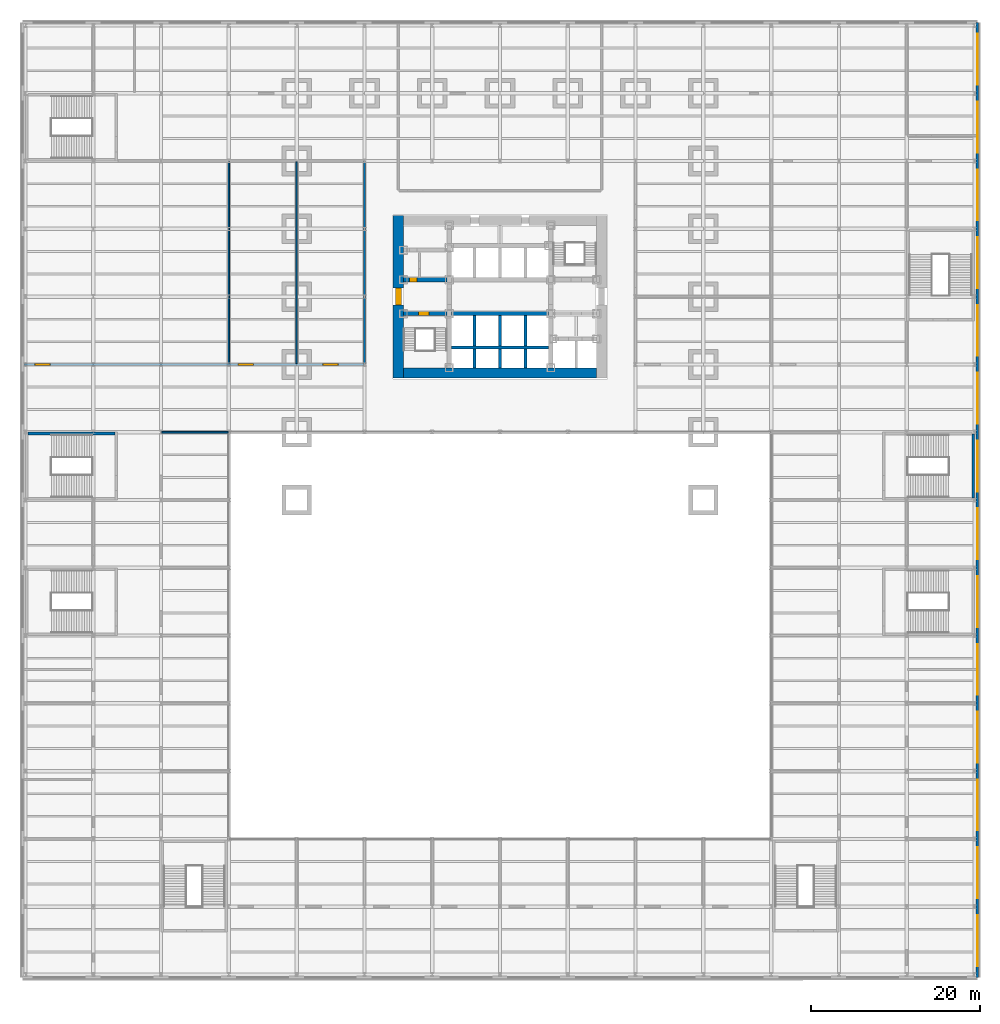
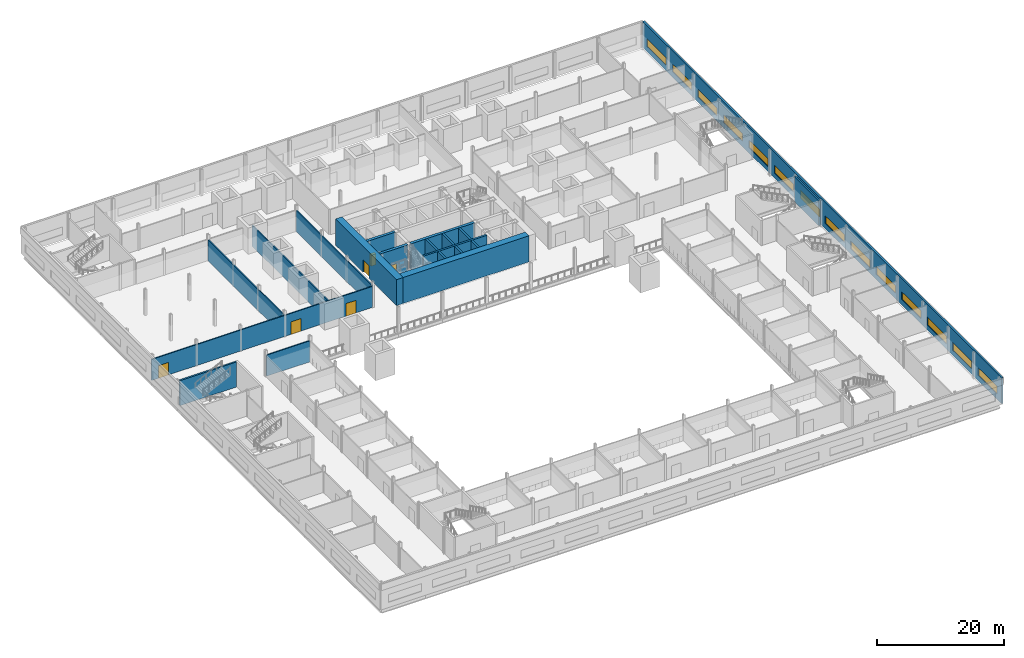
# One storey, part 13 of 22: 20 walls, 14 windows, 6 doors, 20 openings.
"""IFC4 building model written with IfcOpenShell, lengths in metres."""

from ifc_helpers import new_model, si_unit, direction, frame, frame_2d, origin, place, context, subcontext, project, spatial, rectangle, extrude, material, layer, layer_set, type_object, element, fill, save


model = new_model("IFC4")

# Units and contexts
model_context = context("Model", 3, precision=1e-05, world=origin(), true_north=direction((0.0, 1.0)))
body_context = subcontext(model_context, "Body", "Model", "MODEL_VIEW")
ifc_project = project(units=[si_unit("LENGTHUNIT", "METRE"), si_unit("AREAUNIT", "SQUARE_METRE"), si_unit("VOLUMEUNIT", "CUBIC_METRE"), si_unit("PLANEANGLEUNIT", "RADIAN"), si_unit("MASSUNIT", "GRAM", prefix="KILO")], contexts=[model_context])

# Site, building, storey
site_placement = place(None, origin())
site = spatial("IfcSite", under=ifc_project, at=site_placement, CompositionType="ELEMENT")
building_placement = place(site_placement, origin())
building = spatial("IfcBuilding", under=site, at=building_placement, Name="Daluyong Arena Tower", CompositionType="ELEMENT")
storey_placement = place(building_placement, frame((0.0, 0.0, 9.89990234375)))
storey = spatial("IfcBuildingStorey", under=building, at=storey_placement, Name="L02", CompositionType="ELEMENT", Elevation=9.89990234375)

# Wall, opening, door
ifc_material_1 = material(Name="Concrete fc' 45 MPa", Category="concrete")
ifc_layer_1 = layer(ifc_material_1, 0.5)
ifc_layer_set_1 = layer_set([ifc_layer_1], Name="Concrete fc' 45 MPa")
wall_type_1 = type_object("IfcWallType", Name="Core inner wall 500", PredefinedType="SHEAR", material=ifc_layer_set_1)
wall_1_placement = place(storey_placement, frame((44.60009765625, 78.0, 0.0), z_axis=(0.0, 0.0, 1.0), x_axis=(1.0, 0.0, 0.0)))
wall_1 = element("IfcWall", 1, at=wall_1_placement, inside=storey, type_object=wall_type_1, Name="core inner wall at L02", PredefinedType="SHEAR", context=body_context, shape_type="SweptSolid", body=[
    extrude(rectangle(XDim=5.14990234375, YDim=0.5, at=frame_2d((2.574951171875, 0.0))), origin(), (0.0, 0.0, 1.0), 5.0),
])
opening_1_placement = place(wall_1_placement, frame((1.800048828125, 0.0, 0.0)))
opening_1 = element("IfcOpeningElement", 2, at=opening_1_placement, cuts=wall_1, Name="Opening 02006", PredefinedType="OPENING", context=body_context, shape_type="SweptSolid", body=[
    extrude(rectangle(XDim=1.199951171875, YDim=2.10009765625, at=frame_2d((0.60009765625, 1.050048828125))), frame((0.0, 0.260009765625, 0.0), z_axis=(0.0, -1.0, 0.0), x_axis=(1.0, 0.0, 0.0)), (0.0, 0.0, 1.0), 0.52001953125),
])
ifc_material_2 = material(Name="Steel door, fire rated", Category="steel")
door_type_1 = type_object("IfcDoorType", Name="Stair door 1200", OperationType="SINGLE_SWING_LEFT", PredefinedType="DOOR", material=ifc_material_2)
door_1_placement = place(opening_1_placement, origin())
door_1 = element("IfcDoor", 3, at=door_1_placement, inside=storey, type_object=door_type_1, Name="stair A door 02006", OperationType="SINGLE_SWING_LEFT", OverallHeight=2.10009765625, OverallWidth=1.199951171875, PredefinedType="DOOR", context=body_context, shape_type="SweptSolid", body=[
    extrude(rectangle(XDim=1.199951171875, YDim=2.10009765625, at=frame_2d((0.60009765625, 1.050048828125))), frame((0.0, 0.249755859375, 0.0), z_axis=(0.0, -1.0, 0.0), x_axis=(1.0, 0.0, 0.0)), (0.0, 0.0, 1.0), 0.49951171875),
])
fill(opening_1, door_1)

wall_2_placement = place(storey_placement, frame((44.60009765625, 82.0, 0.0), z_axis=(0.0, 0.0, 1.0), x_axis=(1.0, 0.0, 0.0)))
wall_2 = element("IfcWall", 4, at=wall_2_placement, inside=storey, type_object=wall_type_1, Name="core inner wall at L02", PredefinedType="SHEAR", context=body_context, shape_type="SweptSolid", body=[
    extrude(rectangle(XDim=5.14990234375, YDim=0.5, at=frame_2d((2.574951171875, 0.0))), origin(), (0.0, 0.0, 1.0), 5.0),
])
opening_2_placement = place(wall_2_placement, frame((0.699951171875, 0.0, 0.0)))
opening_2 = element("IfcOpeningElement", 5, at=opening_2_placement, cuts=wall_2, Name="Opening 02001", PredefinedType="OPENING", context=body_context, shape_type="SweptSolid", body=[
    extrude(rectangle(XDim=0.89990234375, YDim=2.10009765625, at=frame_2d((0.449951171875, 1.050048828125))), frame((0.0, 0.260009765625, 0.0), z_axis=(0.0, -1.0, 0.0), x_axis=(1.0, 0.0, 0.0)), (0.0, 0.0, 1.0), 0.52001953125),
])
ifc_material_3 = material(Name="Steel door, fire rated", Category="steel")
door_type_2 = type_object("IfcDoorType", Name="Core room door 900", OperationType="SINGLE_SWING_LEFT", PredefinedType="DOOR", material=ifc_material_3)
door_2_placement = place(opening_2_placement, origin())
door_2 = element("IfcDoor", 6, at=door_2_placement, inside=storey, type_object=door_type_2, Name="toilet lobby door 02001", OperationType="SINGLE_SWING_LEFT", OverallHeight=2.10009765625, OverallWidth=0.89990234375, PredefinedType="DOOR", context=body_context, shape_type="SweptSolid", body=[
    extrude(rectangle(XDim=0.89990234375, YDim=2.10009765625, at=frame_2d((0.449951171875, 1.050048828125))), frame((0.0, 0.249755859375, 0.0), z_axis=(0.0, -1.0, 0.0), x_axis=(1.0, 0.0, 0.0)), (0.0, 0.0, 1.0), 0.49951171875),
])
fill(opening_2, door_2)

# Wall
wall_3_placement = place(storey_placement, frame((50.25, 78.0, 0.0), z_axis=(0.0, 0.0, 1.0), x_axis=(1.0, 0.0, 0.0)))
element("IfcWall", 7, at=wall_3_placement, inside=storey, type_object=wall_type_1, Name="core inner wall at L02", PredefinedType="SHEAR", context=body_context, shape_type="SweptSolid", body=[
    extrude(rectangle(XDim=11.5, YDim=0.5, at=frame_2d((5.75, 0.0))), origin(), (0.0, 0.0, 1.0), 5.0),
])

# Wall, opening, door
ifc_material_4 = material(Name="Concrete fc' 60 MPa", Category="concrete")
ifc_layer_2 = layer(ifc_material_4, 1.199951171875)
ifc_layer_set_2 = layer_set([ifc_layer_2], Name="Concrete fc' 60 MPa")
wall_type_2 = type_object("IfcWallType", Name="Core wall 1200", PredefinedType="SHEAR", material=ifc_layer_set_2)
wall_4_placement = place(storey_placement, frame((44.0, 70.39990234375, 0.0), z_axis=(0.0, 0.0, 1.0), x_axis=(0.0, 1.0, 0.0)))
wall_4 = element("IfcWall", 8, at=wall_4_placement, inside=storey, type_object=wall_type_2, Name="core wall at L02", PredefinedType="SHEAR", context=body_context, shape_type="SweptSolid", body=[
    extrude(rectangle(XDim=19.2001953125, YDim=1.199951171875, at=frame_2d((9.60009765625, 0.0))), origin(), (0.0, 0.0, 1.0), 5.0),
])
opening_3_placement = place(wall_4_placement, frame((8.60009765625, 0.0, 0.0)))
opening_3 = element("IfcOpeningElement", 9, at=opening_3_placement, cuts=wall_4, Name="Opening 02008", PredefinedType="OPENING", context=body_context, shape_type="SweptSolid", body=[
    extrude(rectangle(XDim=2.0, YDim=2.39990234375, at=frame_2d((1.0, 1.199951171875))), frame((0.0, 0.60986328125, 0.0), z_axis=(0.0, -1.0, 0.0), x_axis=(1.0, 0.0, 0.0)), (0.0, 0.0, 1.0), 1.219970703125),
])
ifc_material_5 = material(Name="Steel door, fire rated", Category="steel")
door_type_3 = type_object("IfcDoorType", Name="Core lobby double door 2000", OperationType="DOUBLE_DOOR_SINGLE_SWING", PredefinedType="DOOR", material=ifc_material_5)
door_3_placement = place(opening_3_placement, origin())
door_3 = element("IfcDoor", 10, at=door_3_placement, inside=storey, type_object=door_type_3, Name="core lobby door west 02008", OperationType="DOUBLE_DOOR_SINGLE_SWING", OverallHeight=2.39990234375, OverallWidth=2.0, PredefinedType="DOOR", context=body_context, shape_type="SweptSolid", body=[
    extrude(rectangle(XDim=2.0, YDim=2.39990234375, at=frame_2d((1.0, 1.199951171875))), frame((0.0, 0.35009765625, 0.0), z_axis=(0.0, -1.0, 0.0), x_axis=(1.0, 0.0, 0.0)), (0.0, 0.0, 1.0), 0.699951171875),
])
fill(opening_3, door_3)

# Walls
wall_5_placement = place(storey_placement, frame((44.60009765625, 71.0, 0.0), z_axis=(0.0, 0.0, 1.0), x_axis=(1.0, 0.0, 0.0)))
element("IfcWall", 11, at=wall_5_placement, inside=storey, type_object=wall_type_2, Name="core wall at L02", PredefinedType="SHEAR", context=body_context, shape_type="SweptSolid", body=[
    extrude(rectangle(XDim=22.7998046875, YDim=1.199951171875, at=frame_2d((11.39990234375, 0.0))), origin(), (0.0, 0.0, 1.0), 5.0),
])
ifc_material_6 = material(Name="Concrete fc' 45 MPa", Category="concrete")
ifc_layer_3 = layer(ifc_material_6, 0.35009765625)
ifc_layer_set_3 = layer_set([ifc_layer_3], Name="Concrete fc' 45 MPa")
wall_type_3 = type_object("IfcWallType", Name="Lift shaft wall 350", PredefinedType="SHEAR", material=ifc_layer_set_3)
wall_6_placement = place(storey_placement, frame((50.25, 74.0, 0.0), z_axis=(0.0, 0.0, 1.0), x_axis=(1.0, 0.0, 0.0)))
element("IfcWall", 12, at=wall_6_placement, inside=storey, type_object=wall_type_3, Name="lift shaft wall at L02", PredefinedType="SHEAR", context=body_context, shape_type="SweptSolid", body=[
    extrude(rectangle(XDim=11.5, YDim=0.35009765625, at=frame_2d((5.75, 0.0))), origin(), (0.0, 0.0, 1.0), 5.0),
])
wall_7_placement = place(storey_placement, frame((53.0, 71.60009765625, 0.0), z_axis=(0.0, 0.0, 1.0), x_axis=(0.0, 1.0, 0.0)))
element("IfcWall", 13, at=wall_7_placement, inside=storey, type_object=wall_type_3, Name="lift shaft wall at L02", PredefinedType="SHEAR", context=body_context, shape_type="SweptSolid", body=[
    extrude(rectangle(XDim=2.224853515625, YDim=0.35009765625, at=frame_2d((1.1123046875, 0.0))), origin(), (0.0, 0.0, 1.0), 5.0),
])
wall_8_placement = place(storey_placement, frame((53.0, 74.175048828125, 0.0), z_axis=(0.0, 0.0, 1.0), x_axis=(0.0, 1.0, 0.0)))
element("IfcWall", 14, at=wall_8_placement, inside=storey, type_object=wall_type_3, Name="lift shaft wall at L02", PredefinedType="SHEAR", context=body_context, shape_type="SweptSolid", body=[
    extrude(rectangle(XDim=3.574951171875, YDim=0.35009765625, at=frame_2d((1.78759765625, 0.0))), origin(), (0.0, 0.0, 1.0), 5.0),
])
wall_9_placement = place(storey_placement, frame((56.0, 71.60009765625, 0.0), z_axis=(0.0, 0.0, 1.0), x_axis=(0.0, 1.0, 0.0)))
element("IfcWall", 15, at=wall_9_placement, inside=storey, type_object=wall_type_3, Name="lift shaft wall at L02", PredefinedType="SHEAR", context=body_context, shape_type="SweptSolid", body=[
    extrude(rectangle(XDim=2.224853515625, YDim=0.35009765625, at=frame_2d((1.1123046875, 0.0))), origin(), (0.0, 0.0, 1.0), 5.0),
])
wall_10_placement = place(storey_placement, frame((56.0, 74.175048828125, 0.0), z_axis=(0.0, 0.0, 1.0), x_axis=(0.0, 1.0, 0.0)))
element("IfcWall", 16, at=wall_10_placement, inside=storey, type_object=wall_type_3, Name="lift shaft wall at L02", PredefinedType="SHEAR", context=body_context, shape_type="SweptSolid", body=[
    extrude(rectangle(XDim=3.574951171875, YDim=0.35009765625, at=frame_2d((1.78759765625, 0.0))), origin(), (0.0, 0.0, 1.0), 5.0),
])
wall_11_placement = place(storey_placement, frame((59.0, 71.60009765625, 0.0), z_axis=(0.0, 0.0, 1.0), x_axis=(0.0, 1.0, 0.0)))
element("IfcWall", 17, at=wall_11_placement, inside=storey, type_object=wall_type_3, Name="lift shaft wall at L02", PredefinedType="SHEAR", context=body_context, shape_type="SweptSolid", body=[
    extrude(rectangle(XDim=2.224853515625, YDim=0.35009765625, at=frame_2d((1.1123046875, 0.0))), origin(), (0.0, 0.0, 1.0), 5.0),
])
wall_12_placement = place(storey_placement, frame((59.0, 74.175048828125, 0.0), z_axis=(0.0, 0.0, 1.0), x_axis=(0.0, 1.0, 0.0)))
element("IfcWall", 18, at=wall_12_placement, inside=storey, type_object=wall_type_3, Name="lift shaft wall at L02", PredefinedType="SHEAR", context=body_context, shape_type="SweptSolid", body=[
    extrude(rectangle(XDim=3.574951171875, YDim=0.35009765625, at=frame_2d((1.78759765625, 0.0))), origin(), (0.0, 0.0, 1.0), 5.0),
])
ifc_material_7 = material(Name="Concrete block partition", Category="concrete")
ifc_layer_4 = layer(ifc_material_7, 0.199951171875)
ifc_layer_set_4 = layer_set([ifc_layer_4], Name="Concrete block partition")
wall_type_4 = type_object("IfcWallType", Name="Partition 200", PredefinedType="PARTITIONING", material=ifc_layer_set_4)
wall_13_placement = place(storey_placement, frame((16.10009765625, 64.0, 0.0), z_axis=(0.0, 0.0, 1.0), x_axis=(1.0, 0.0, 0.0)))
element("IfcWall", 19, at=wall_13_placement, inside=storey, type_object=wall_type_4, Name="partition at L02", PredefinedType="PARTITIONING", context=body_context, shape_type="SweptSolid", body=[
    extrude(rectangle(XDim=7.7998046875, YDim=0.199951171875, at=frame_2d((3.89990234375, 0.0))), origin(), (0.0, 0.0, 1.0), 4.02783203125),
])

# Wall, openings, doors
wall_14_placement = place(storey_placement, frame((-0.14990234375, 72.0, 0.0), z_axis=(0.0, 0.0, 1.0), x_axis=(1.0, 0.0, 0.0)))
wall_14 = element("IfcWall", 20, at=wall_14_placement, inside=storey, type_object=wall_type_4, Name="partition at L02", PredefinedType="PARTITIONING", context=body_context, shape_type="SweptSolid", body=[
    extrude(rectangle(XDim=40.0498046875, YDim=0.199951171875, at=frame_2d((20.02490234375, 0.0))), origin(), (0.0, 0.0, 1.0), 4.02783203125),
])
opening_4_placement = place(wall_14_placement, frame((1.25, 0.0, 0.0)))
opening_4 = element("IfcOpeningElement", 21, at=opening_4_placement, cuts=wall_14, Name="Opening 02053", PredefinedType="OPENING", context=body_context, shape_type="SweptSolid", body=[
    extrude(rectangle(XDim=1.800048828125, YDim=2.39990234375, at=frame_2d((0.89990234375, 1.199951171875))), frame((0.0, 0.10986328125, 0.0), z_axis=(0.0, -1.0, 0.0), x_axis=(1.0, 0.0, 0.0)), (0.0, 0.0, 1.0), 0.219970703125),
])
opening_5_placement = place(wall_14_placement, frame((25.25, 0.0, 0.0)))
opening_5 = element("IfcOpeningElement", 22, at=opening_5_placement, cuts=wall_14, Name="Opening 02054", PredefinedType="OPENING", context=body_context, shape_type="SweptSolid", body=[
    extrude(rectangle(XDim=1.800048828125, YDim=2.39990234375, at=frame_2d((0.89990234375, 1.199951171875))), frame((0.0, 0.10986328125, 0.0), z_axis=(0.0, -1.0, 0.0), x_axis=(1.0, 0.0, 0.0)), (0.0, 0.0, 1.0), 0.219970703125),
])
opening_6_placement = place(wall_14_placement, frame((35.25, 0.0, 0.0)))
opening_6 = element("IfcOpeningElement", 23, at=opening_6_placement, cuts=wall_14, Name="Opening 02055", PredefinedType="OPENING", context=body_context, shape_type="SweptSolid", body=[
    extrude(rectangle(XDim=1.800048828125, YDim=2.39990234375, at=frame_2d((0.89990234375, 1.199951171875))), frame((0.0, 0.10986328125, 0.0), z_axis=(0.0, -1.0, 0.0), x_axis=(1.0, 0.0, 0.0)), (0.0, 0.0, 1.0), 0.219970703125),
])
ifc_material_8 = material(Name="Timber door", Category="wood")
door_type_4 = type_object("IfcDoorType", Name="Assembly double door 1800", OperationType="DOUBLE_DOOR_DOUBLE_SWING", PredefinedType="DOOR", material=ifc_material_8)
door_4_placement = place(opening_4_placement, origin())
door_4 = element("IfcDoor", 24, at=door_4_placement, inside=storey, type_object=door_type_4, Name="club lounge door 02053", OperationType="DOUBLE_DOOR_DOUBLE_SWING", OverallHeight=2.39990234375, OverallWidth=1.800048828125, PredefinedType="DOOR", context=body_context, shape_type="SweptSolid", body=[
    extrude(rectangle(XDim=1.800048828125, YDim=2.39990234375, at=frame_2d((0.89990234375, 1.199951171875))), frame((0.0, 0.099609375, 0.0), z_axis=(0.0, -1.0, 0.0), x_axis=(1.0, 0.0, 0.0)), (0.0, 0.0, 1.0), 0.199462890625),
])
fill(opening_4, door_4)
door_5_placement = place(opening_5_placement, origin())
door_5 = element("IfcDoor", 25, at=door_5_placement, inside=storey, type_object=door_type_4, Name="sports bar door 02054", OperationType="DOUBLE_DOOR_DOUBLE_SWING", OverallHeight=2.39990234375, OverallWidth=1.800048828125, PredefinedType="DOOR", context=body_context, shape_type="SweptSolid", body=[
    extrude(rectangle(XDim=1.800048828125, YDim=2.39990234375, at=frame_2d((0.89990234375, 1.199951171875))), frame((0.0, 0.099609375, 0.0), z_axis=(0.0, -1.0, 0.0), x_axis=(1.0, 0.0, 0.0)), (0.0, 0.0, 1.0), 0.199462890625),
])
fill(opening_5, door_5)
door_6_placement = place(opening_6_placement, origin())
door_6 = element("IfcDoor", 26, at=door_6_placement, inside=storey, type_object=door_type_4, Name="sports bar door 02055", OperationType="DOUBLE_DOOR_DOUBLE_SWING", OverallHeight=2.39990234375, OverallWidth=1.800048828125, PredefinedType="DOOR", context=body_context, shape_type="SweptSolid", body=[
    extrude(rectangle(XDim=1.800048828125, YDim=2.39990234375, at=frame_2d((0.89990234375, 1.199951171875))), frame((0.0, 0.099609375, 0.0), z_axis=(0.0, -1.0, 0.0), x_axis=(1.0, 0.0, 0.0)), (0.0, 0.0, 1.0), 0.199462890625),
])
fill(opening_6, door_6)

# Walls
for number, where, z_axis, x_axis, name in (
    (27, (24.0, 72.10009765625, 0.0), (0.0, 0.0, 1.0), (0.0, 1.0, 0.0), "partition at L02"),
    (28, (32.0, 72.10009765625, 0.0), (0.0, 0.0, 1.0), (0.0, 1.0, 0.0), "partition at L02"),
    (29, (40.0, 72.10009765625, 0.0), (0.0, 0.0, 1.0), (0.0, 1.0, 0.0), "partition at L02"),
):
    element("IfcWall", number, at=place(storey_placement, frame(where, z_axis=z_axis, x_axis=x_axis)), inside=storey, type_object=wall_type_4, Name=name, PredefinedType="PARTITIONING", context=body_context, shape_type="SweptSolid", body=[
        extrude(rectangle(XDim=23.7998046875, YDim=0.199951171875, at=frame_2d((11.89990234375, 0.0))), origin(), (0.0, 0.0, 1.0), 4.02783203125),
    ])

# Wall, openings, windows
ifc_material_9 = material(Name="Precast concrete fc' 45 MPa", Category="concrete")
ifc_layer_5 = layer(ifc_material_9, 0.300048828125)
ifc_layer_set_5 = layer_set([ifc_layer_5], Name="Precast concrete fc' 45 MPa")
wall_type_5 = type_object("IfcWallType", Name="Podium precast band wall 300", PredefinedType="SOLIDWALL", material=ifc_layer_set_5)
wall_15_placement = place(storey_placement, frame((112.35009765625, -0.35009765625, 0.0), z_axis=(0.0, 0.0, 1.0), x_axis=(0.0, 1.0, 0.0)))
wall_15 = element("IfcWall", 30, at=wall_15_placement, inside=storey, type_object=wall_type_5, Name="podium wall E L02", PredefinedType="SOLIDWALL", context=body_context, shape_type="SweptSolid", body=[
    extrude(rectangle(XDim=112.7001953125, YDim=0.300048828125, at=frame_2d((56.35009765625, 0.0))), origin(), (0.0, 0.0, 1.0), 5.0),
])
opening_7_placement = place(wall_15_placement, frame((1.35009765625, 0.0, 1.0)))
opening_7 = element("IfcOpeningElement", 31, at=opening_7_placement, cuts=wall_15, Name="Opening W1", PredefinedType="OPENING", context=body_context, shape_type="SweptSolid", body=[
    extrude(rectangle(XDim=6.0, YDim=1.5, at=frame_2d((3.0, 0.75))), frame((0.0, 0.159912109375, 0.0), z_axis=(0.0, -1.0, 0.0), x_axis=(1.0, 0.0, 0.0)), (0.0, 0.0, 1.0), 0.320068359375),
])
opening_8_placement = place(wall_15_placement, frame((9.35009765625, 0.0, 1.0)))
opening_8 = element("IfcOpeningElement", 32, at=opening_8_placement, cuts=wall_15, Name="Opening W1", PredefinedType="OPENING", context=body_context, shape_type="SweptSolid", body=[
    extrude(rectangle(XDim=6.0, YDim=1.5, at=frame_2d((3.0, 0.75))), frame((0.0, 0.159912109375, 0.0), z_axis=(0.0, -1.0, 0.0), x_axis=(1.0, 0.0, 0.0)), (0.0, 0.0, 1.0), 0.320068359375),
])
opening_9_placement = place(wall_15_placement, frame((17.35009765625, 0.0, 1.0)))
opening_9 = element("IfcOpeningElement", 33, at=opening_9_placement, cuts=wall_15, Name="Opening W1", PredefinedType="OPENING", context=body_context, shape_type="SweptSolid", body=[
    extrude(rectangle(XDim=6.0, YDim=1.5, at=frame_2d((3.0, 0.75))), frame((0.0, 0.159912109375, 0.0), z_axis=(0.0, -1.0, 0.0), x_axis=(1.0, 0.0, 0.0)), (0.0, 0.0, 1.0), 0.320068359375),
])
opening_10_placement = place(wall_15_placement, frame((25.35009765625, 0.0, 1.0)))
opening_10 = element("IfcOpeningElement", 34, at=opening_10_placement, cuts=wall_15, Name="Opening W1", PredefinedType="OPENING", context=body_context, shape_type="SweptSolid", body=[
    extrude(rectangle(XDim=6.0, YDim=1.5, at=frame_2d((3.0, 0.75))), frame((0.0, 0.159912109375, 0.0), z_axis=(0.0, -1.0, 0.0), x_axis=(1.0, 0.0, 0.0)), (0.0, 0.0, 1.0), 0.320068359375),
])
opening_11_placement = place(wall_15_placement, frame((33.35009765625, 0.0, 1.0)))
opening_11 = element("IfcOpeningElement", 35, at=opening_11_placement, cuts=wall_15, Name="Opening W1", PredefinedType="OPENING", context=body_context, shape_type="SweptSolid", body=[
    extrude(rectangle(XDim=6.0, YDim=1.5, at=frame_2d((3.0, 0.75))), frame((0.0, 0.159912109375, 0.0), z_axis=(0.0, -1.0, 0.0), x_axis=(1.0, 0.0, 0.0)), (0.0, 0.0, 1.0), 0.320068359375),
])
opening_12_placement = place(wall_15_placement, frame((41.35009765625, 0.0, 1.0)))
opening_12 = element("IfcOpeningElement", 36, at=opening_12_placement, cuts=wall_15, Name="Opening W1", PredefinedType="OPENING", context=body_context, shape_type="SweptSolid", body=[
    extrude(rectangle(XDim=6.0, YDim=1.5, at=frame_2d((3.0, 0.75))), frame((0.0, 0.159912109375, 0.0), z_axis=(0.0, -1.0, 0.0), x_axis=(1.0, 0.0, 0.0)), (0.0, 0.0, 1.0), 0.320068359375),
])
opening_13_placement = place(wall_15_placement, frame((49.35009765625, 0.0, 1.0)))
opening_13 = element("IfcOpeningElement", 37, at=opening_13_placement, cuts=wall_15, Name="Opening W1", PredefinedType="OPENING", context=body_context, shape_type="SweptSolid", body=[
    extrude(rectangle(XDim=6.0, YDim=1.5, at=frame_2d((3.0, 0.75))), frame((0.0, 0.159912109375, 0.0), z_axis=(0.0, -1.0, 0.0), x_axis=(1.0, 0.0, 0.0)), (0.0, 0.0, 1.0), 0.320068359375),
])
opening_14_placement = place(wall_15_placement, frame((57.35009765625, 0.0, 1.0)))
opening_14 = element("IfcOpeningElement", 38, at=opening_14_placement, cuts=wall_15, Name="Opening W1", PredefinedType="OPENING", context=body_context, shape_type="SweptSolid", body=[
    extrude(rectangle(XDim=6.0, YDim=1.5, at=frame_2d((3.0, 0.75))), frame((0.0, 0.159912109375, 0.0), z_axis=(0.0, -1.0, 0.0), x_axis=(1.0, 0.0, 0.0)), (0.0, 0.0, 1.0), 0.320068359375),
])
opening_15_placement = place(wall_15_placement, frame((65.35009765625, 0.0, 1.0)))
opening_15 = element("IfcOpeningElement", 39, at=opening_15_placement, cuts=wall_15, Name="Opening W1", PredefinedType="OPENING", context=body_context, shape_type="SweptSolid", body=[
    extrude(rectangle(XDim=6.0, YDim=1.5, at=frame_2d((3.0, 0.75))), frame((0.0, 0.159912109375, 0.0), z_axis=(0.0, -1.0, 0.0), x_axis=(1.0, 0.0, 0.0)), (0.0, 0.0, 1.0), 0.320068359375),
])
opening_16_placement = place(wall_15_placement, frame((73.35009765625, 0.0, 1.0)))
opening_16 = element("IfcOpeningElement", 40, at=opening_16_placement, cuts=wall_15, Name="Opening W1", PredefinedType="OPENING", context=body_context, shape_type="SweptSolid", body=[
    extrude(rectangle(XDim=6.0, YDim=1.5, at=frame_2d((3.0, 0.75))), frame((0.0, 0.159912109375, 0.0), z_axis=(0.0, -1.0, 0.0), x_axis=(1.0, 0.0, 0.0)), (0.0, 0.0, 1.0), 0.320068359375),
])
opening_17_placement = place(wall_15_placement, frame((81.35009765625, 0.0, 1.0)))
opening_17 = element("IfcOpeningElement", 41, at=opening_17_placement, cuts=wall_15, Name="Opening W1", PredefinedType="OPENING", context=body_context, shape_type="SweptSolid", body=[
    extrude(rectangle(XDim=6.0, YDim=1.5, at=frame_2d((3.0, 0.75))), frame((0.0, 0.159912109375, 0.0), z_axis=(0.0, -1.0, 0.0), x_axis=(1.0, 0.0, 0.0)), (0.0, 0.0, 1.0), 0.320068359375),
])
opening_18_placement = place(wall_15_placement, frame((89.35009765625, 0.0, 1.0)))
opening_18 = element("IfcOpeningElement", 42, at=opening_18_placement, cuts=wall_15, Name="Opening W1", PredefinedType="OPENING", context=body_context, shape_type="SweptSolid", body=[
    extrude(rectangle(XDim=6.0, YDim=1.5, at=frame_2d((3.0, 0.75))), frame((0.0, 0.159912109375, 0.0), z_axis=(0.0, -1.0, 0.0), x_axis=(1.0, 0.0, 0.0)), (0.0, 0.0, 1.0), 0.320068359375),
])
opening_19_placement = place(wall_15_placement, frame((97.35009765625, 0.0, 1.0)))
opening_19 = element("IfcOpeningElement", 43, at=opening_19_placement, cuts=wall_15, Name="Opening W1", PredefinedType="OPENING", context=body_context, shape_type="SweptSolid", body=[
    extrude(rectangle(XDim=6.0, YDim=1.5, at=frame_2d((3.0, 0.75))), frame((0.0, 0.159912109375, 0.0), z_axis=(0.0, -1.0, 0.0), x_axis=(1.0, 0.0, 0.0)), (0.0, 0.0, 1.0), 0.320068359375),
])
opening_20_placement = place(wall_15_placement, frame((105.35009765625, 0.0, 1.0)))
opening_20 = element("IfcOpeningElement", 44, at=opening_20_placement, cuts=wall_15, Name="Opening W1", PredefinedType="OPENING", context=body_context, shape_type="SweptSolid", body=[
    extrude(rectangle(XDim=6.0, YDim=1.5, at=frame_2d((3.0, 0.75))), frame((0.0, 0.159912109375, 0.0), z_axis=(0.0, -1.0, 0.0), x_axis=(1.0, 0.0, 0.0)), (0.0, 0.0, 1.0), 0.320068359375),
])
ifc_material_10 = material(Name="Bronze aluminium window, tinted glass", Category="aluminium")
window_type = type_object("IfcWindowType", Name="Ribbon window 6000x1500", PartitioningType="TRIPLE_PANEL_HORIZONTAL", PredefinedType="WINDOW", material=ifc_material_10)
window_1_placement = place(opening_7_placement, origin())
window_1 = element("IfcWindow", 45, at=window_1_placement, inside=storey, type_object=window_type, Name="ribbon window E", OverallHeight=1.5, OverallWidth=6.0, PartitioningType="SINGLE_PANEL", PredefinedType="WINDOW", context=body_context, shape_type="SweptSolid", body=[
    extrude(rectangle(XDim=6.0, YDim=1.5, at=frame_2d((3.0, 0.75))), frame((0.0, 0.030029296875, 0.0), z_axis=(0.0, -1.0, 0.0), x_axis=(1.0, 0.0, 0.0)), (0.0, 0.0, 1.0), 0.06005859375),
])
fill(opening_7, window_1)
window_2_placement = place(opening_8_placement, origin())
window_2 = element("IfcWindow", 46, at=window_2_placement, inside=storey, type_object=window_type, Name="ribbon window E", OverallHeight=1.5, OverallWidth=6.0, PartitioningType="SINGLE_PANEL", PredefinedType="WINDOW", context=body_context, shape_type="SweptSolid", body=[
    extrude(rectangle(XDim=6.0, YDim=1.5, at=frame_2d((3.0, 0.75))), frame((0.0, 0.030029296875, 0.0), z_axis=(0.0, -1.0, 0.0), x_axis=(1.0, 0.0, 0.0)), (0.0, 0.0, 1.0), 0.06005859375),
])
fill(opening_8, window_2)
window_3_placement = place(opening_9_placement, origin())
window_3 = element("IfcWindow", 47, at=window_3_placement, inside=storey, type_object=window_type, Name="ribbon window E", OverallHeight=1.5, OverallWidth=6.0, PartitioningType="SINGLE_PANEL", PredefinedType="WINDOW", context=body_context, shape_type="SweptSolid", body=[
    extrude(rectangle(XDim=6.0, YDim=1.5, at=frame_2d((3.0, 0.75))), frame((0.0, 0.030029296875, 0.0), z_axis=(0.0, -1.0, 0.0), x_axis=(1.0, 0.0, 0.0)), (0.0, 0.0, 1.0), 0.06005859375),
])
fill(opening_9, window_3)
window_4_placement = place(opening_10_placement, origin())
window_4 = element("IfcWindow", 48, at=window_4_placement, inside=storey, type_object=window_type, Name="ribbon window E", OverallHeight=1.5, OverallWidth=6.0, PartitioningType="SINGLE_PANEL", PredefinedType="WINDOW", context=body_context, shape_type="SweptSolid", body=[
    extrude(rectangle(XDim=6.0, YDim=1.5, at=frame_2d((3.0, 0.75))), frame((0.0, 0.030029296875, 0.0), z_axis=(0.0, -1.0, 0.0), x_axis=(1.0, 0.0, 0.0)), (0.0, 0.0, 1.0), 0.06005859375),
])
fill(opening_10, window_4)
window_5_placement = place(opening_11_placement, origin())
window_5 = element("IfcWindow", 49, at=window_5_placement, inside=storey, type_object=window_type, Name="ribbon window E", OverallHeight=1.5, OverallWidth=6.0, PartitioningType="SINGLE_PANEL", PredefinedType="WINDOW", context=body_context, shape_type="SweptSolid", body=[
    extrude(rectangle(XDim=6.0, YDim=1.5, at=frame_2d((3.0, 0.75))), frame((0.0, 0.030029296875, 0.0), z_axis=(0.0, -1.0, 0.0), x_axis=(1.0, 0.0, 0.0)), (0.0, 0.0, 1.0), 0.06005859375),
])
fill(opening_11, window_5)
window_6_placement = place(opening_12_placement, origin())
window_6 = element("IfcWindow", 50, at=window_6_placement, inside=storey, type_object=window_type, Name="ribbon window E", OverallHeight=1.5, OverallWidth=6.0, PartitioningType="SINGLE_PANEL", PredefinedType="WINDOW", context=body_context, shape_type="SweptSolid", body=[
    extrude(rectangle(XDim=6.0, YDim=1.5, at=frame_2d((3.0, 0.75))), frame((0.0, 0.030029296875, 0.0), z_axis=(0.0, -1.0, 0.0), x_axis=(1.0, 0.0, 0.0)), (0.0, 0.0, 1.0), 0.06005859375),
])
fill(opening_12, window_6)
window_7_placement = place(opening_13_placement, origin())
window_7 = element("IfcWindow", 51, at=window_7_placement, inside=storey, type_object=window_type, Name="ribbon window E", OverallHeight=1.5, OverallWidth=6.0, PartitioningType="SINGLE_PANEL", PredefinedType="WINDOW", context=body_context, shape_type="SweptSolid", body=[
    extrude(rectangle(XDim=6.0, YDim=1.5, at=frame_2d((3.0, 0.75))), frame((0.0, 0.030029296875, 0.0), z_axis=(0.0, -1.0, 0.0), x_axis=(1.0, 0.0, 0.0)), (0.0, 0.0, 1.0), 0.06005859375),
])
fill(opening_13, window_7)
window_8_placement = place(opening_14_placement, origin())
window_8 = element("IfcWindow", 52, at=window_8_placement, inside=storey, type_object=window_type, Name="ribbon window E", OverallHeight=1.5, OverallWidth=6.0, PartitioningType="SINGLE_PANEL", PredefinedType="WINDOW", context=body_context, shape_type="SweptSolid", body=[
    extrude(rectangle(XDim=6.0, YDim=1.5, at=frame_2d((3.0, 0.75))), frame((0.0, 0.030029296875, 0.0), z_axis=(0.0, -1.0, 0.0), x_axis=(1.0, 0.0, 0.0)), (0.0, 0.0, 1.0), 0.06005859375),
])
fill(opening_14, window_8)
window_9_placement = place(opening_15_placement, origin())
window_9 = element("IfcWindow", 53, at=window_9_placement, inside=storey, type_object=window_type, Name="ribbon window E", OverallHeight=1.5, OverallWidth=6.0, PartitioningType="SINGLE_PANEL", PredefinedType="WINDOW", context=body_context, shape_type="SweptSolid", body=[
    extrude(rectangle(XDim=6.0, YDim=1.5, at=frame_2d((3.0, 0.75))), frame((0.0, 0.030029296875, 0.0), z_axis=(0.0, -1.0, 0.0), x_axis=(1.0, 0.0, 0.0)), (0.0, 0.0, 1.0), 0.06005859375),
])
fill(opening_15, window_9)
window_10_placement = place(opening_16_placement, origin())
window_10 = element("IfcWindow", 54, at=window_10_placement, inside=storey, type_object=window_type, Name="ribbon window E", OverallHeight=1.5, OverallWidth=6.0, PartitioningType="SINGLE_PANEL", PredefinedType="WINDOW", context=body_context, shape_type="SweptSolid", body=[
    extrude(rectangle(XDim=6.0, YDim=1.5, at=frame_2d((3.0, 0.75))), frame((0.0, 0.030029296875, 0.0), z_axis=(0.0, -1.0, 0.0), x_axis=(1.0, 0.0, 0.0)), (0.0, 0.0, 1.0), 0.06005859375),
])
fill(opening_16, window_10)
window_11_placement = place(opening_17_placement, origin())
window_11 = element("IfcWindow", 55, at=window_11_placement, inside=storey, type_object=window_type, Name="ribbon window E", OverallHeight=1.5, OverallWidth=6.0, PartitioningType="SINGLE_PANEL", PredefinedType="WINDOW", context=body_context, shape_type="SweptSolid", body=[
    extrude(rectangle(XDim=6.0, YDim=1.5, at=frame_2d((3.0, 0.75))), frame((0.0, 0.030029296875, 0.0), z_axis=(0.0, -1.0, 0.0), x_axis=(1.0, 0.0, 0.0)), (0.0, 0.0, 1.0), 0.06005859375),
])
fill(opening_17, window_11)
window_12_placement = place(opening_18_placement, origin())
window_12 = element("IfcWindow", 56, at=window_12_placement, inside=storey, type_object=window_type, Name="ribbon window E", OverallHeight=1.5, OverallWidth=6.0, PartitioningType="SINGLE_PANEL", PredefinedType="WINDOW", context=body_context, shape_type="SweptSolid", body=[
    extrude(rectangle(XDim=6.0, YDim=1.5, at=frame_2d((3.0, 0.75))), frame((0.0, 0.030029296875, 0.0), z_axis=(0.0, -1.0, 0.0), x_axis=(1.0, 0.0, 0.0)), (0.0, 0.0, 1.0), 0.06005859375),
])
fill(opening_18, window_12)
window_13_placement = place(opening_19_placement, origin())
window_13 = element("IfcWindow", 57, at=window_13_placement, inside=storey, type_object=window_type, Name="ribbon window E", OverallHeight=1.5, OverallWidth=6.0, PartitioningType="SINGLE_PANEL", PredefinedType="WINDOW", context=body_context, shape_type="SweptSolid", body=[
    extrude(rectangle(XDim=6.0, YDim=1.5, at=frame_2d((3.0, 0.75))), frame((0.0, 0.030029296875, 0.0), z_axis=(0.0, -1.0, 0.0), x_axis=(1.0, 0.0, 0.0)), (0.0, 0.0, 1.0), 0.06005859375),
])
fill(opening_19, window_13)
window_14_placement = place(opening_20_placement, origin())
window_14 = element("IfcWindow", 58, at=window_14_placement, inside=storey, type_object=window_type, Name="ribbon window E", OverallHeight=1.5, OverallWidth=6.0, PartitioningType="SINGLE_PANEL", PredefinedType="WINDOW", context=body_context, shape_type="SweptSolid", body=[
    extrude(rectangle(XDim=6.0, YDim=1.5, at=frame_2d((3.0, 0.75))), frame((0.0, 0.030029296875, 0.0), z_axis=(0.0, -1.0, 0.0), x_axis=(1.0, 0.0, 0.0)), (0.0, 0.0, 1.0), 0.06005859375),
])
fill(opening_20, window_14)

# Walls
ifc_material_11 = material(Name="Concrete fc' 35 MPa", Category="concrete")
ifc_layer_6 = layer(ifc_material_11, 0.300048828125)
ifc_layer_set_6 = layer_set([ifc_layer_6], Name="Concrete fc' 35 MPa")
wall_type_6 = type_object("IfcWallType", Name="Stair enclosure wall 300", PredefinedType="SOLIDWALL", material=ifc_layer_set_6)
wall_16_placement = place(storey_placement, frame((0.300048828125, 63.85009765625, 0.0), z_axis=(0.0, 0.0, 1.0), x_axis=(1.0, 0.0, 0.0)))
element("IfcWall", 59, at=wall_16_placement, inside=storey, type_object=wall_type_6, Name="exit stair PS7 enclosure", PredefinedType="SOLIDWALL", context=body_context, shape_type="SweptSolid", body=[
    extrude(rectangle(XDim=10.25, YDim=0.300048828125, at=frame_2d((5.125, 0.0))), origin(), (0.0, 0.0, 1.0), 4.800048828125),
])
wall_17_placement = place(storey_placement, frame((111.85009765625, 56.208251953125, 0.0), z_axis=(0.0, 0.0, 1.0), x_axis=(0.0, 1.0, 0.0)))
element("IfcWall", 60, at=wall_17_placement, inside=storey, type_object=wall_type_6, Name="exit stair PS8 enclosure", PredefinedType="SOLIDWALL", context=body_context, shape_type="SweptSolid", body=[
    extrude(rectangle(XDim=7.58349609375, YDim=0.300048828125, at=frame_2d((3.791748046875, 0.0))), origin(), (0.0, 0.0, 1.0), 4.800048828125),
])

save(model, "model.ifc")
